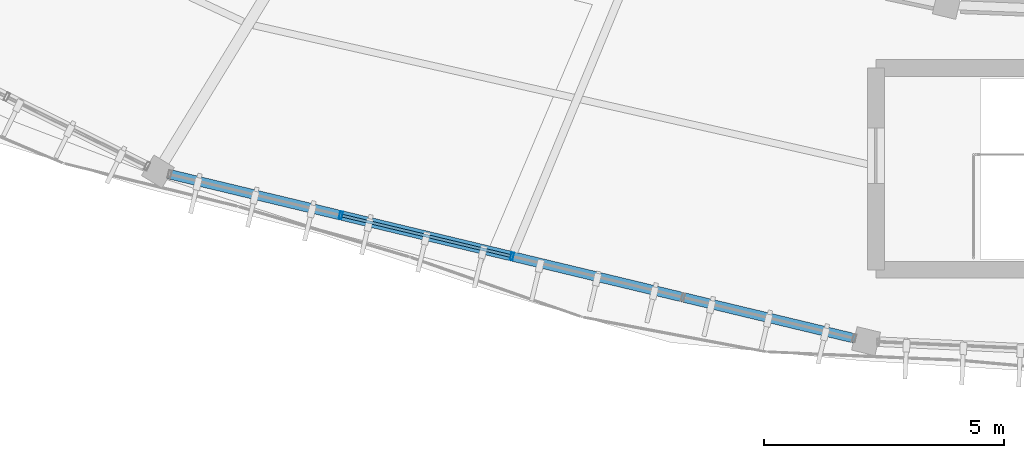
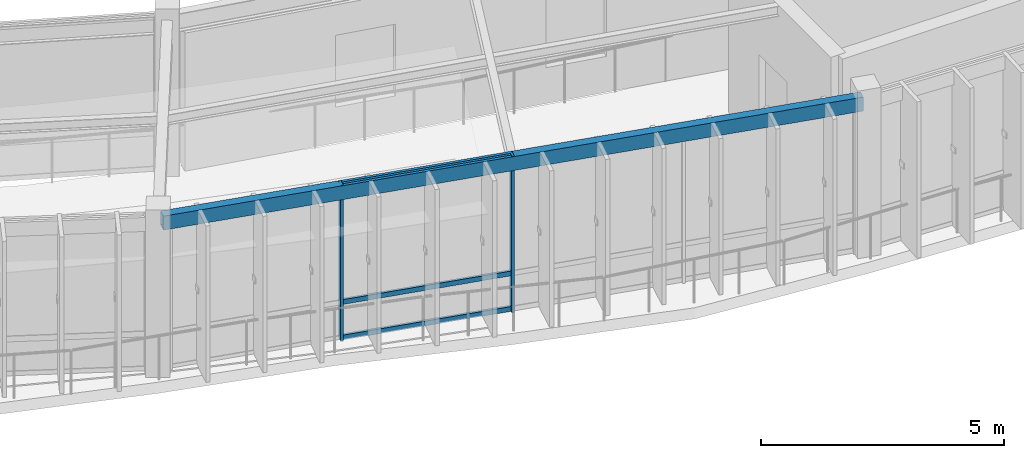
# One storey, part 4 of 78: 5 members, 1 beam, 1 element without a shape of its own.
"""IFC4 building model written with IfcOpenShell, lengths in metres."""

from ifc_helpers import new_model, si_unit, direction, frame, origin, origin_2d, place, context, subcontext, project, spatial, hollow_rectangle, extrude, material, material_profile, profile_set, type_object, element, aggregate, save


model = new_model("IFC4")

# Units and contexts
model_context = context("Model", 3, precision=1e-05, world=origin(), true_north=direction((0.0, 1.0)))
body_context = subcontext(model_context, "Body", "Model", "MODEL_VIEW")
ifc_project = project(units=[si_unit("LENGTHUNIT", "METRE"), si_unit("AREAUNIT", "SQUARE_METRE"), si_unit("VOLUMEUNIT", "CUBIC_METRE"), si_unit("PLANEANGLEUNIT", "RADIAN"), si_unit("MASSUNIT", "GRAM", prefix="KILO"), si_unit("THERMODYNAMICTEMPERATUREUNIT", "KELVIN"), si_unit("POWERUNIT", "WATT")], contexts=[model_context])

# Site, building, storey
site_placement = place(None, origin())
site = spatial("IfcSite", under=ifc_project, at=site_placement, CompositionType="ELEMENT")
building_placement = place(site_placement, origin())
building = spatial("IfcBuilding", under=site, at=building_placement, Name="Darbajah Civic Hall", CompositionType="ELEMENT")
storey_placement = place(building_placement, frame((0.0, 0.0, 26.39990234375)))
storey = spatial("IfcBuildingStorey", under=building, at=storey_placement, Name="L06", CompositionType="ELEMENT", Elevation=26.39990234375)

# Curtain wall, members
ifc_material_1 = material(Name="Anodised Bronze Aluminium and Low-E Glazing", Category="aluminium")
curtain_wall_type = type_object("IfcCurtainWallType", Name="Unitised Curtain Wall CW-90 14700x3900", PredefinedType="USERDEFINED", material=ifc_material_1)
curtain_wall_placement = place(storey_placement, origin())
curtain_wall = element("IfcCurtainWall", 1, at=curtain_wall_placement, inside=storey, type_object=curtain_wall_type, Name="L06 unitised curtain wall CW-V1O-L06-13", ObjectType="UNITISED CURTAIN WALL", PredefinedType="USERDEFINED")
ifc_material_2 = material(Name="Anodised Bronze Aluminium", Category="aluminium")
ifc_material_profile_1 = material_profile(ifc_material_2, hollow_rectangle(XDim=0.06005859375, YDim=0.159912109375, WallThickness=0.00341796875, at=origin_2d()), Name="ALU MULLION 60x160")
ifc_profile_set_1 = profile_set([ifc_material_profile_1], Name="Anodised Bronze Aluminium")
member_type_1 = type_object("IfcMemberType", Name="ALU MULLION 60x160", PredefinedType="MULLION", material=ifc_profile_set_1)
member_1_placement = place(storey_placement, frame((66.260498046875, 63.734619140625, 0.0), z_axis=(0.0, 0.0, 1.0), x_axis=(0.972492018808, -0.232936200179, 0.0)))
member_1 = element("IfcMember", 2, at=member_1_placement, type_object=member_type_1, Name="CW-V1O-L06-13 mullion 2", PredefinedType="MULLION", context=body_context, shape_type="SweptSolid", body=[
    extrude(hollow_rectangle(XDim=0.06005859375, YDim=0.159912109375, WallThickness=0.00341796875, at=origin_2d()), origin(), (0.0, 0.0, 1.0), 3.920166015625),
])
member_2_placement = place(storey_placement, frame((69.823486328125, 62.881103515625, 0.0), z_axis=(0.0, 0.0, 1.0), x_axis=(0.972492018808, -0.232936200179, 0.0)))
member_2 = element("IfcMember", 3, at=member_2_placement, type_object=member_type_1, Name="CW-V1O-L06-13 mullion 3", PredefinedType="MULLION", context=body_context, shape_type="SweptSolid", body=[
    extrude(hollow_rectangle(XDim=0.06005859375, YDim=0.159912109375, WallThickness=0.00341796875, at=origin_2d()), origin(), (0.0, 0.0, 1.0), 3.920166015625),
])
ifc_material_profile_2 = material_profile(ifc_material_2, hollow_rectangle(XDim=0.06005859375, YDim=0.1201171875, WallThickness=0.003173828125, at=origin_2d()), Name="ALU TRANSOM 60x120")
ifc_profile_set_2 = profile_set([ifc_material_profile_2], Name="Anodised Bronze Aluminium")
member_type_2 = type_object("IfcMemberType", Name="ALU TRANSOM 60x120", PredefinedType="USERDEFINED", material=ifc_profile_set_2)
member_3_placement = place(storey_placement, frame((66.294677734375, 63.7265625, 0.06005859375), z_axis=(0.972485270966, -0.232964370137, 0.0), x_axis=(0.232964370137, 0.972485270966, 0.0)))
member_3 = element("IfcMember", 4, at=member_3_placement, type_object=member_type_2, Name="CW-V1O-L06-13 transom 2.1", ObjectType="TRANSOM", PredefinedType="USERDEFINED", context=body_context, shape_type="SweptSolid", body=[
    extrude(hollow_rectangle(XDim=0.06005859375, YDim=0.1201171875, WallThickness=0.003173828125, at=origin_2d()), origin(), (0.0, 0.0, 1.0), 3.593505859375),
])
member_4_placement = place(storey_placement, frame((66.294677734375, 63.7265625, 0.9501953125), z_axis=(0.972485270966, -0.232964370137, 0.0), x_axis=(0.232964370137, 0.972485270966, 0.0)))
member_4 = element("IfcMember", 5, at=member_4_placement, type_object=member_type_2, Name="CW-V1O-L06-13 transom 2.2", ObjectType="TRANSOM", PredefinedType="USERDEFINED", context=body_context, shape_type="SweptSolid", body=[
    extrude(hollow_rectangle(XDim=0.06005859375, YDim=0.1201171875, WallThickness=0.003173828125, at=origin_2d()), origin(), (0.0, 0.0, 1.0), 3.593505859375),
])
member_5_placement = place(storey_placement, frame((66.294677734375, 63.7265625, 3.860107421875), z_axis=(0.972485270966, -0.232964370137, 0.0), x_axis=(0.232964370137, 0.972485270966, 0.0)))
member_5 = element("IfcMember", 6, at=member_5_placement, type_object=member_type_2, Name="CW-V1O-L06-13 transom 2.3", ObjectType="TRANSOM", PredefinedType="USERDEFINED", context=body_context, shape_type="SweptSolid", body=[
    extrude(hollow_rectangle(XDim=0.06005859375, YDim=0.1201171875, WallThickness=0.003173828125, at=origin_2d()), origin(), (0.0, 0.0, 1.0), 3.593505859375),
])
aggregate(curtain_wall, [member_1, member_2, member_3, member_4, member_5])

# Beam
ifc_material_3 = material(Name="Steel S355JR", Category="steel")
ifc_material_profile_3 = material_profile(ifc_material_3, hollow_rectangle(XDim=0.199951171875, YDim=0.35009765625, WallThickness=0.012451171875, at=origin_2d()), Name="RHS 350x200x12.5")
ifc_profile_set_3 = profile_set([ifc_material_profile_3], Name="Steel S355JR")
beam_type = type_object("IfcBeamType", Name="RHS 350x200x12.5", PredefinedType="SPANDREL", material=ifc_profile_set_3)
beam_placement = place(storey_placement, frame((62.530517578125, 64.62841796875, 3.7451171875), z_axis=(0.972477948632, -0.232994934332, 0.0), x_axis=(0.232994934332, 0.972477948632, 0.0)))
element("IfcBeam", 7, at=beam_placement, inside=storey, type_object=beam_type, Name="L06 beam SP-RHS350", PredefinedType="SPANDREL", context=body_context, shape_type="SweptSolid", body=[
    extrude(hollow_rectangle(XDim=0.199951171875, YDim=0.35009765625, WallThickness=0.012451171875, at=origin_2d()), origin(), (0.0, 0.0, 1.0), 14.998779296875),
])

save(model, "model.ifc")
